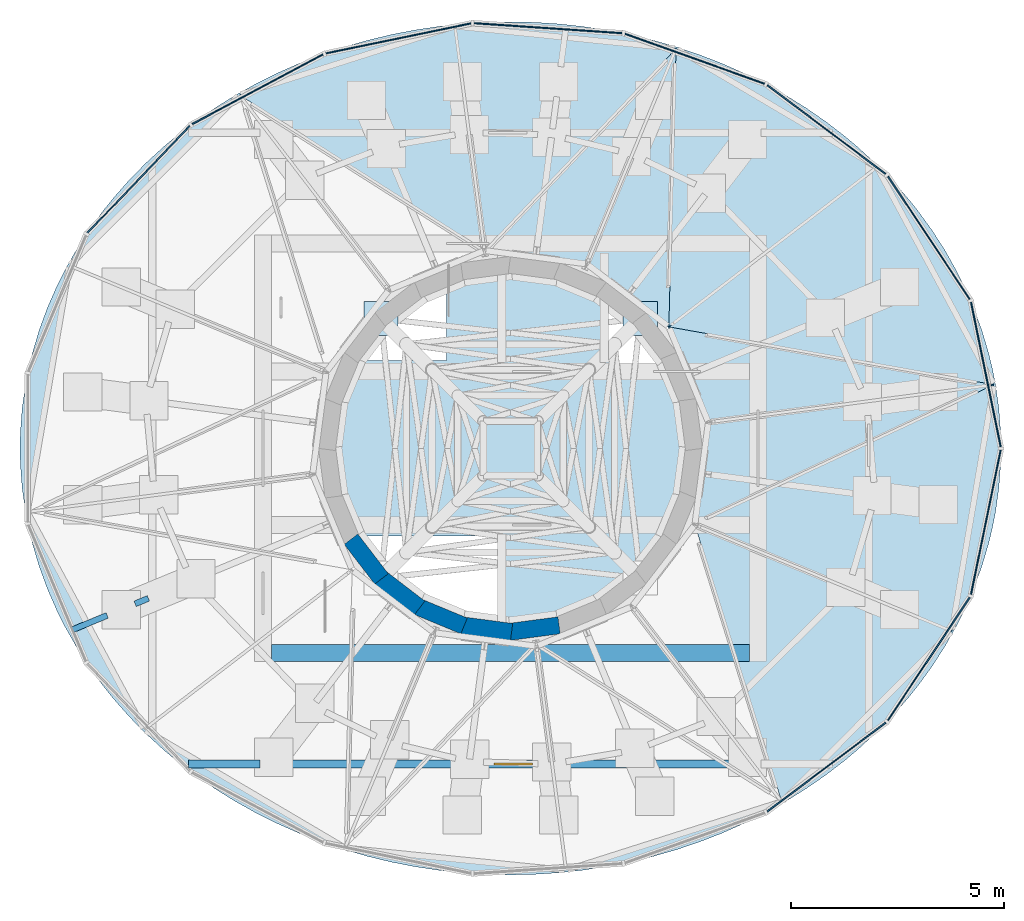
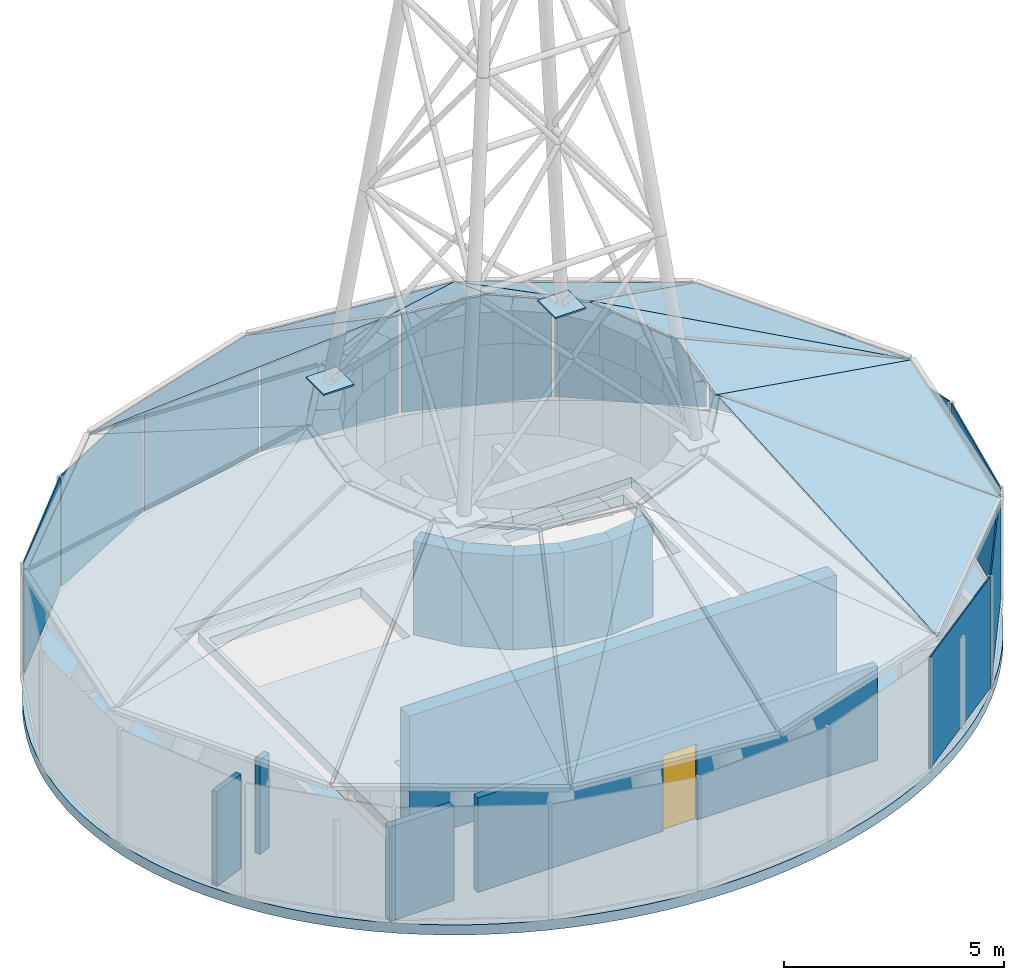
# One storey, part 6 of 10: 23 plates, 10 walls, 2 slabs, 1 door, 1 opening, 13 elements without a shape of their own.
"""IFC4 building model written with IfcOpenShell, lengths in metres."""

from ifc_helpers import new_model, si_unit, direction, frame, frame_2d, origin, origin_2d, place, context, subcontext, project, spatial, line, indexed_curve, rectangle, outline, extrude, source, transform, mapped, material, layer, layer_set, type_object, element, fill, aggregate, save


model = new_model("IFC4")

# Units and contexts
model_context = context("Model", 3, precision=1e-05, world=origin(), true_north=direction((0.0, 1.0)))
body_context = subcontext(model_context, "Body", "Model", "MODEL_VIEW")
ifc_project = project(units=[si_unit("LENGTHUNIT", "METRE"), si_unit("AREAUNIT", "SQUARE_METRE"), si_unit("VOLUMEUNIT", "CUBIC_METRE"), si_unit("PLANEANGLEUNIT", "RADIAN"), si_unit("MASSUNIT", "GRAM", prefix="KILO")], contexts=[model_context])

# Site, building, storey
site_placement = place(None, origin())
site = spatial("IfcSite", under=ifc_project, at=site_placement, CompositionType="ELEMENT")
building_placement = place(site_placement, origin())
building = spatial("IfcBuilding", under=site, at=building_placement, Name="Spindrift Exchange Tower", CompositionType="ELEMENT")
storey_placement = place(building_placement, frame((0.0, 0.0, 287.10009765625)))
storey = spatial("IfcBuildingStorey", under=building, at=storey_placement, Name="L71", CompositionType="ELEMENT", Elevation=287.10009765625)

# Curtain wall, plate
ifc_material_1 = material(Name="Fritted laminated glass with bronze frame", Category="glass")
ifc_layer_1 = layer(ifc_material_1, 0.139892578125)
ifc_layer_set_1 = layer_set([ifc_layer_1], Name="CROWN BRONZE HOOD GLAZED ROOF")
curtain_wall_type = type_object("IfcCurtainWallType", Name="CROWN BRONZE HOOD GLAZED ROOF", PredefinedType="NOTDEFINED", material=ifc_layer_set_1)
curtain_wall_1_placement = place(storey_placement, origin())
curtain_wall_1 = element("IfcCurtainWall", 1, at=curtain_wall_1_placement, inside=storey, type_object=curtain_wall_type, Name="L71 Crown Bronze Hood Glazed Roof facet 21", PredefinedType="NOTDEFINED")
ifc_material_2 = material(Name="Bronze fritted laminated glass, close frit", Category="glass")
ifc_layer_2 = layer(ifc_material_2, 0.031982421875)
ifc_layer_set_2 = layer_set([ifc_layer_2], Name="CROWN BRONZE HOOD GLAZED ROOF PANEL CLOSE FRIT 300")
plate_type_1 = type_object("IfcPlateType", Name="CROWN BRONZE HOOD GLAZED ROOF PANEL CLOSE FRIT 300", PredefinedType="CURTAIN_PANEL", material=ifc_layer_set_2)
plate_1_placement = place(storey_placement, frame((58.3583984375, 39.713623046875, 3.527587890625), z_axis=(0.35362755456, -0.352354503994, 0.866483615639), x_axis=(0.705830554927, 0.708380708187, 0.0)))
plate_1 = element("IfcPlate", 2, at=plate_1_placement, type_object=plate_type_1, Name="L71 panel CW-H.11a", PredefinedType="CURTAIN_PANEL", context=body_context, shape_type="SweptSolid", body=[
    extrude(outline(indexed_curve([(0.0, 0.0), (5.6484375, 0.0), (3.1640625, 6.9560546875)], segments=[line(1, 2, 3, 1)], self_intersect=False)), origin(), (0.0, 0.0, -1.0), 0.031982421875),
])
aggregate(curtain_wall_1, [plate_1])

curtain_wall_2_placement = place(storey_placement, origin())
curtain_wall_2 = element("IfcCurtainWall", 3, at=curtain_wall_2_placement, inside=storey, type_object=curtain_wall_type, Name="L71 Crown Bronze Hood Glazed Roof facet 23", PredefinedType="NOTDEFINED")
plate_2_placement = place(storey_placement, frame((63.330810546875, 49.49169921875, 3.52783203125), z_axis=(0.472556199926, -0.080623336113, 0.877604988355), x_axis=(-0.168180945866, -0.985756140964, 0.0)))
plate_2 = element("IfcPlate", 4, at=plate_2_placement, type_object=plate_type_1, Name="L71 panel CW-H.12a", PredefinedType="CURTAIN_PANEL", context=body_context, shape_type="SweptSolid", body=[
    extrude(outline(indexed_curve([(0.0, 0.0), (5.8603515625, 0.0), (4.4140625, -7.2431640625)], segments=[line(1, 2, 3, 1)], self_intersect=False)), origin(), (0.0, 0.0, -1.0), 0.031982421875),
])
aggregate(curtain_wall_2, [plate_2])

curtain_wall_3_placement = place(storey_placement, origin())
curtain_wall_3 = element("IfcCurtainWall", 5, at=curtain_wall_3_placement, inside=storey, type_object=curtain_wall_type, Name="L71 Crown Bronze Hood Glazed Roof facet 24", PredefinedType="NOTDEFINED")
plate_3_placement = place(storey_placement, frame((63.330810546875, 49.49169921875, 3.528076171875), z_axis=(0.466004346147, -0.061360002873, 0.882652196179), x_axis=(-0.8262601591, -0.386965846128, 0.409330652914)))
plate_3 = element("IfcPlate", 6, at=plate_3_placement, type_object=plate_type_1, Name="L71 panel CW-H.12b", PredefinedType="CURTAIN_PANEL", context=body_context, shape_type="SweptSolid", body=[
    extrude(outline(indexed_curve([(0.0, 0.0), (8.482421875, 0.0), (7.2919921875, -2.109375)], segments=[line(1, 2, 3, 1)], self_intersect=False)), origin(), (0.0, 0.0, -1.0), 0.031982421875),
])
aggregate(curtain_wall_3, [plate_3])

curtain_wall_4_placement = place(storey_placement, origin())
curtain_wall_4 = element("IfcCurtainWall", 7, at=curtain_wall_4_placement, inside=storey, type_object=curtain_wall_type, Name="L71 Crown Bronze Hood Glazed Roof facet 3", PredefinedType="NOTDEFINED")
ifc_layer_3 = layer(ifc_material_2, 0.031982421875)
ifc_layer_set_3 = layer_set([ifc_layer_3], Name="CROWN BRONZE HOOD GLAZED ROOF PANEL CLOSE FRIT 420")
plate_type_2 = type_object("IfcPlateType", Name="CROWN BRONZE HOOD GLAZED ROOF PANEL CLOSE FRIT 420", PredefinedType="CURTAIN_PANEL", material=ifc_layer_set_3)
plate_4_placement = place(storey_placement, frame((55.881591796875, 57.37109375, 3.527099609375), z_axis=(0.264305562786, 0.447877536729, 0.854135985411), x_axis=(0.861220597917, -0.508231326979, 0.0)))
plate_4 = element("IfcPlate", 8, at=plate_4_placement, type_object=plate_type_2, Name="L71 panel CW-H.2a", PredefinedType="CURTAIN_PANEL", context=body_context, shape_type="SweptSolid", body=[
    extrude(outline(indexed_curve([(0.0, 0.0), (5.4677734375, 0.0), (3.1689453125, -6.677734375)], segments=[line(1, 2, 3, 1)], self_intersect=False)), origin(), (0.0, 0.0, -1.0), 0.031982421875),
])
aggregate(curtain_wall_4, [plate_4])

curtain_wall_5_placement = place(storey_placement, origin())
curtain_wall_5 = element("IfcCurtainWall", 9, at=curtain_wall_5_placement, inside=storey, type_object=curtain_wall_type, Name="L71 Crown Bronze Hood Glazed Roof facet 4", PredefinedType="NOTDEFINED")
plate_5_placement = place(storey_placement, frame((55.881591796875, 57.37109375, 3.526611328125), z_axis=(0.334647415871, 0.436111138087, 0.835355123458), x_axis=(-0.022954150339, -0.882430199643, 0.469883017079)))
plate_5 = element("IfcPlate", 10, at=plate_5_placement, type_object=plate_type_2, Name="L71 panel CW-H.2b", PredefinedType="CURTAIN_PANEL", context=body_context, shape_type="SweptSolid", body=[
    extrude(outline(indexed_curve([(0.0, 0.0), (7.3916015625, 0.0), (6.134765625, -2.0703125)], segments=[line(1, 2, 3, 1)], self_intersect=False)), origin(), (0.0, 0.0, -1.0), 0.031982421875),
])
aggregate(curtain_wall_5, [plate_5])

curtain_wall_6_placement = place(storey_placement, origin())
curtain_wall_6 = element("IfcCurtainWall", 11, at=curtain_wall_6_placement, inside=storey, type_object=curtain_wall_type, Name="L71 Crown Bronze Hood Glazed Roof facet 7", PredefinedType="NOTDEFINED")
plate_6_placement = place(storey_placement, frame((45.6416015625, 56.286376953125, 3.526611328125), z_axis=(-0.168033139477, 0.527936618462, 0.832494919459), x_axis=(0.952897976513, 0.303291025845, 0.0)))
plate_6 = element("IfcPlate", 12, at=plate_6_placement, type_object=plate_type_2, Name="L71 panel CW-H.4a", PredefinedType="CURTAIN_PANEL", context=body_context, shape_type="SweptSolid", body=[
    extrude(outline(indexed_curve([(0.0, 0.0), (5.3056640625, 0.0), (4.37109375, -6.26953125)], segments=[line(1, 2, 3, 1)], self_intersect=False)), origin(), (0.0, 0.0, -1.0), 0.031982421875),
])
aggregate(curtain_wall_6, [plate_6])

curtain_wall_7_placement = place(storey_placement, origin())
curtain_wall_7 = element("IfcCurtainWall", 13, at=curtain_wall_7_placement, inside=storey, type_object=curtain_wall_type, Name="L71 Crown Bronze Hood Glazed Roof facet 1", PredefinedType="NOTDEFINED")
ifc_layer_4 = layer(ifc_material_2, 0.031982421875)
ifc_layer_set_4 = layer_set([ifc_layer_4], Name="CROWN BRONZE HOOD GLAZED ROOF PANEL CLOSE FRIT 540")
plate_type_3 = type_object("IfcPlateType", Name="CROWN BRONZE HOOD GLAZED ROOF PANEL CLOSE FRIT 540", PredefinedType="CURTAIN_PANEL", material=ifc_layer_set_4)
plate_7_placement = place(storey_placement, frame((63.330810546875, 49.49169921875, 3.527587890625), z_axis=(0.43744031224, 0.235000364955, 0.867998157659), x_axis=(-0.473249668707, 0.88092834616, 0.0)))
plate_7 = element("IfcPlate", 14, at=plate_7_placement, type_object=plate_type_3, Name="L71 panel CW-H.1a", PredefinedType="CURTAIN_PANEL", context=body_context, shape_type="SweptSolid", body=[
    extrude(outline(indexed_curve([(0.0, 0.0), (5.7900390625, 0.0), (4.80078125, 6.9931640625)], segments=[line(1, 2, 3, 1)], self_intersect=False)), origin(), (0.0, 0.0, -1.0), 0.031982421875),
])
aggregate(curtain_wall_7, [plate_7])

curtain_wall_8_placement = place(storey_placement, origin())
curtain_wall_8 = element("IfcCurtainWall", 15, at=curtain_wall_8_placement, inside=storey, type_object=curtain_wall_type, Name="L71 Crown Bronze Hood Glazed Roof facet 2", PredefinedType="NOTDEFINED")
plate_8_placement = place(storey_placement, frame((63.330810546875, 49.49169921875, 3.528076171875), z_axis=(0.434246702203, 0.179858208572, 0.882655553676), x_axis=(-0.898258789822, 0.159923281195, 0.409335669884)))
plate_8 = element("IfcPlate", 16, at=plate_8_placement, type_object=plate_type_3, Name="L71 panel CW-H.1b", PredefinedType="CURTAIN_PANEL", context=body_context, shape_type="SweptSolid", body=[
    extrude(outline(indexed_curve([(0.0, 0.0), (8.4814453125, 0.0), (7.2919921875, 2.109375)], segments=[line(1, 2, 3, 1)], self_intersect=False)), origin(), (0.0, 0.0, -1.0), 0.031982421875),
])
aggregate(curtain_wall_8, [plate_8])

curtain_wall_9_placement = place(storey_placement, origin())
curtain_wall_9 = element("IfcCurtainWall", 17, at=curtain_wall_9_placement, inside=storey, type_object=curtain_wall_type, Name="L71 Crown Bronze Hood Glazed Roof facet 5", PredefinedType="NOTDEFINED")
plate_9_placement = place(storey_placement, frame((55.881591796875, 57.37109375, 3.5263671875), z_axis=(0.056197623453, 0.555566356624, 0.829570883352), x_axis=(-0.994922887883, 0.100640186634, 0.0)))
plate_9 = element("IfcPlate", 18, at=plate_9_placement, type_object=plate_type_3, Name="L71 panel CW-H.3a", PredefinedType="CURTAIN_PANEL", context=body_context, shape_type="SweptSolid", body=[
    extrude(outline(indexed_curve([(0.0, 0.0), (5.2109375, 0.0), (3.9931640625, 6.220703125)], segments=[line(1, 2, 3, 1)], self_intersect=False)), origin(), (0.0, 0.0, -1.0), 0.031982421875),
])
aggregate(curtain_wall_9, [plate_9])

curtain_wall_10_placement = place(storey_placement, origin())
curtain_wall_10 = element("IfcCurtainWall", 19, at=curtain_wall_10_placement, inside=storey, type_object=curtain_wall_type, Name="L71 Crown Bronze Hood Glazed Roof facet 6", PredefinedType="NOTDEFINED")
plate_10_placement = place(storey_placement, frame((55.881591796875, 57.37109375, 3.526611328125), z_axis=(0.071761418154, 0.544998878414, 0.835360114796), x_axis=(-0.607718633659, -0.640218369285, 0.469892010928)))
plate_10 = element("IfcPlate", 20, at=plate_10_placement, type_object=plate_type_3, Name="L71 panel CW-H.3b", PredefinedType="CURTAIN_PANEL", context=body_context, shape_type="SweptSolid", body=[
    extrude(outline(indexed_curve([(0.0, 0.0), (7.3916015625, 0.0), (6.134765625, 2.0703125)], segments=[line(1, 2, 3, 1)], self_intersect=False)), origin(), (0.0, 0.0, -1.0), 0.031982421875),
])
aggregate(curtain_wall_10, [plate_10])

# Slabs
ifc_material_3 = material(Name="Concrete 40 MPa", Category="concrete")
ifc_layer_5 = layer(ifc_material_3, 0.280029296875)
ifc_layer_set_5 = layer_set([ifc_layer_5], Name="RC Floor Slab 280 Concrete 40 MPa")
slab_type_1 = type_object("IfcSlabType", Name="RC Floor Slab 280 Concrete 40 MPa", PredefinedType="FLOOR", material=ifc_layer_set_5)
slab_1_placement = place(storey_placement, frame((0.0, 0.0, -0.280029296875)))
element("IfcSlab", 21, at=slab_1_placement, inside=storey, type_object=slab_type_1, Name="Floor slab L71", PredefinedType="FLOOR", context=body_context, shape_type="SweptSolid", body=[
    extrude(outline(indexed_curve([(63.5, 48.0), (63.491943359375, 48.37548828125), (63.449462890625, 48.9375), (63.37060546875, 49.495361328125), (63.29833984375, 49.864013671875), (63.210693359375, 50.229248046875), (63.05029296875, 50.769287109375), (62.8564453125, 51.298583984375), (62.63037109375, 51.814697265625), (62.46240234375, 52.15087890625), (62.18603515625, 52.641845703125), (61.88134765625, 53.11572265625), (61.5498046875, 53.5712890625), (61.314697265625, 53.864501953125), (60.9423828125, 54.28759765625), (60.5478515625, 54.689697265625), (60.132568359375, 55.0703125), (59.8447265625, 55.31201171875), (59.3984375, 55.65576171875), (58.935302734375, 55.976806640625), (58.45703125, 56.27490234375), (57.965087890625, 56.549560546875), (57.460693359375, 56.80078125), (56.945068359375, 57.0283203125), (56.419677734375, 57.23193359375), (55.885498046875, 57.411865234375), (55.343994140625, 57.56787109375), (54.79638671875, 57.699951171875), (54.243408203125, 57.807861328125), (53.68603515625, 57.891845703125), (53.125732421875, 57.951904296875), (52.5634765625, 57.988037109375), (52.0, 58.0), (51.4365234375, 57.988037109375), (50.874267578125, 57.951904296875), (50.31396484375, 57.891845703125), (49.756591796875, 57.807861328125), (49.20361328125, 57.699951171875), (48.656005859375, 57.56787109375), (48.114501953125, 57.411865234375), (47.580322265625, 57.23193359375), (47.054931640625, 57.0283203125), (46.539306640625, 56.80078125), (46.034912109375, 56.549560546875), (45.54296875, 56.27490234375), (45.064697265625, 55.976806640625), (44.6015625, 55.65576171875), (44.1552734375, 55.31201171875), (43.867431640625, 55.0703125), (43.4521484375, 54.689697265625), (43.0576171875, 54.28759765625), (42.685302734375, 53.864501953125), (42.4501953125, 53.5712890625), (42.11865234375, 53.11572265625), (41.81396484375, 52.641845703125), (41.53759765625, 52.15087890625), (41.36962890625, 51.814697265625), (41.1435546875, 51.298583984375), (40.94970703125, 50.769287109375), (40.789306640625, 50.229248046875), (40.70166015625, 49.864013671875), (40.62939453125, 49.495361328125), (40.550537109375, 48.9375), (40.508056640625, 48.37548828125), (40.5, 48.0), (40.508056640625, 47.62451171875), (40.550537109375, 47.0625), (40.62939453125, 46.504638671875), (40.70166015625, 46.135986328125), (40.789306640625, 45.770751953125), (40.94970703125, 45.230712890625), (41.1435546875, 44.701416015625), (41.36962890625, 44.185302734375), (41.53759765625, 43.84912109375), (41.81396484375, 43.358154296875), (42.11865234375, 42.88427734375), (42.4501953125, 42.4287109375), (42.685302734375, 42.135498046875), (43.0576171875, 41.71240234375), (43.4521484375, 41.310302734375), (43.867431640625, 40.9296875), (44.1552734375, 40.68798828125), (44.6015625, 40.34423828125), (45.064697265625, 40.023193359375), (45.54296875, 39.72509765625), (46.034912109375, 39.450439453125), (46.539306640625, 39.19921875), (47.054931640625, 38.9716796875), (47.580322265625, 38.76806640625), (48.114501953125, 38.588134765625), (48.656005859375, 38.43212890625), (49.20361328125, 38.300048828125), (49.756591796875, 38.192138671875), (50.31396484375, 38.108154296875), (50.874267578125, 38.048095703125), (51.4365234375, 38.011962890625), (52.0, 38.0), (52.5634765625, 38.011962890625), (53.125732421875, 38.048095703125), (53.68603515625, 38.108154296875), (54.243408203125, 38.192138671875), (54.79638671875, 38.300048828125), (55.343994140625, 38.43212890625), (55.885498046875, 38.588134765625), (56.419677734375, 38.76806640625), (56.945068359375, 38.9716796875), (57.460693359375, 39.19921875), (57.965087890625, 39.450439453125), (58.45703125, 39.72509765625), (58.935302734375, 40.023193359375), (59.3984375, 40.34423828125), (59.8447265625, 40.68798828125), (60.132568359375, 40.9296875), (60.5478515625, 41.310302734375), (60.9423828125, 41.71240234375), (61.314697265625, 42.135498046875), (61.5498046875, 42.4287109375), (61.88134765625, 42.88427734375), (62.18603515625, 43.358154296875), (62.46240234375, 43.84912109375), (62.63037109375, 44.185302734375), (62.8564453125, 44.701416015625), (63.05029296875, 45.230712890625), (63.210693359375, 45.770751953125), (63.29833984375, 46.135986328125), (63.37060546875, 46.504638671875), (63.449462890625, 47.0625), (63.491943359375, 47.62451171875)], segments=[line(1, 2, 3, 4, 5, 6, 7, 8, 9, 10, 11, 12, 13, 14, 15, 16, 17, 18, 19, 20, 21, 22, 23, 24, 25, 26, 27, 28, 29, 30, 31, 32, 33, 34, 35, 36, 37, 38, 39, 40, 41, 42, 43, 44, 45, 46, 47, 48, 49, 50, 51, 52, 53, 54, 55, 56, 57, 58, 59, 60, 61, 62, 63, 64, 65, 66, 67, 68, 69, 70, 71, 72, 73, 74, 75, 76, 77, 78, 79, 80, 81, 82, 83, 84, 85, 86, 87, 88, 89, 90, 91, 92, 93, 94, 95, 96, 97, 98, 99, 100, 101, 102, 103, 104, 105, 106, 107, 108, 109, 110, 111, 112, 113, 114, 115, 116, 117, 118, 119, 120, 121, 122, 123, 124, 125, 126, 127, 128, 1)], self_intersect=False), holes=[indexed_curve([(46.0, 43.0), (58.0, 43.0), (58.0, 53.0), (46.0, 53.0)], segments=[line(1, 2, 3, 4, 1)], self_intersect=False)]), origin(), (0.0, 0.0, 1.0), 0.280029296875),
])
ifc_material_4 = material(Name="Concrete 50 MPa", Category="concrete")
ifc_layer_6 = layer(ifc_material_4, 0.280029296875)
ifc_layer_set_6 = layer_set([ifc_layer_6], Name="SL-CORE-FLOOR-280")
slab_type_2 = type_object("IfcSlabType", Name="SL-CORE-FLOOR-280", PredefinedType="FLOOR", material=ifc_layer_set_6)
slab_2_placement = place(storey_placement, frame((0.0, 0.0, -0.280029296875)))
element("IfcSlab", 22, at=slab_2_placement, inside=storey, type_object=slab_type_2, Name="L71 Core floor slab", PredefinedType="FLOOR", context=body_context, shape_type="SweptSolid", body=[
    extrude(outline(indexed_curve([(46.39990234375, 43.39990234375), (46.39990234375, 52.60009765625), (57.60009765625, 52.60009765625), (57.60009765625, 43.39990234375)], segments=[line(1, 2, 3, 4, 1)], self_intersect=False), holes=[indexed_curve([(47.7060546875, 43.7060546875), (51.694091796875, 43.7060546875), (51.694091796875, 45.944091796875), (47.7060546875, 45.944091796875)], segments=[line(1, 2, 3, 4, 1)], self_intersect=False), indexed_curve([(50.493896484375, 50.055908203125), (50.493896484375, 52.2939453125), (46.506103515625, 52.2939453125), (46.506103515625, 50.055908203125)], segments=[line(1, 2, 3, 4, 1)], self_intersect=False), indexed_curve([(54.300048828125, 49.89990234375), (57.5, 49.89990234375), (57.5, 52.5), (54.300048828125, 52.5)], segments=[line(1, 2, 3, 4, 1)], self_intersect=False)]), origin(), (0.0, 0.0, 1.0), 0.280029296875),
])

# Plates
ifc_material_5 = material(Name="Steel Grade 350", Category="steel")
ifc_layer_7 = layer(ifc_material_5, 0.0400390625)
ifc_layer_set_7 = layer_set([ifc_layer_7], Name="Mast Base Plate 40 Steel Grade 350")
plate_type_4 = type_object("IfcPlateType", Name="Mast Base Plate 40 Steel Grade 350", PredefinedType="SHEET", material=ifc_layer_set_7)
shared_shape_1 = source(origin(), body_context, "Body", "SweptSolid", [
    extrude(rectangle(XDim=0.800048828125, YDim=0.800048828125, at=origin_2d()), origin(), (0.0, 0.0, 1.0), 0.0400390625),
])
for number, where, z_axis, x_axis, name in (
    (23, (55.04052734375, 51.04052734375, 7.0), (0.0, 0.0, 1.0), (1.0, 0.0, 0.0), "Mast base plate 1"),
    (24, (48.95947265625, 51.04052734375, 7.0), (0.0, 0.0, 1.0), (1.0, 0.0, 0.0), "Mast base plate 2"),
):
    element("IfcPlate", number, at=place(storey_placement, frame(where, z_axis=z_axis, x_axis=x_axis)), inside=storey, type_object=plate_type_4, Name=name, PredefinedType="SHEET", context=body_context, shape_type="MappedRepresentation", body=[
        mapped(shared_shape_1, transform((0.0, 0.0, 0.0), scale=1.0)),
    ])

# Curtain wall, plates
curtain_wall_11_placement = place(storey_placement, origin())
curtain_wall_11 = element("IfcCurtainWall", 25, at=curtain_wall_11_placement, inside=storey, type_object=curtain_wall_type, Name="L71 Crown Bronze Hood Glazed Roof run 1", PredefinedType="NOTDEFINED")
shared_shape_2 = source(origin(), body_context, "Body", "SweptSolid", [
    extrude(rectangle(XDim=3.46533203125, YDim=0.031982421875, at=origin_2d()), origin(), (0.0, 0.0, 1.0), 3.090087890625),
])
plate_11_placement = place(storey_placement, frame((63.144287109375, 49.7314453125, 0.10986328125), z_axis=(0.0, 0.0, 1.0), x_axis=(-0.201281368887, 0.979533465758, 0.0)))
plate_11 = element("IfcPlate", 26, at=plate_11_placement, type_object=plate_type_2, Name="L71 panel CW-H.1", PredefinedType="CURTAIN_PANEL", context=body_context, shape_type="MappedRepresentation", body=[
    mapped(shared_shape_2, transform((0.0, 0.0, 0.0), scale=1.0)),
])
shared_shape_3 = source(origin(), body_context, "Body", "SweptSolid", [
    extrude(rectangle(XDim=3.4697265625, YDim=0.031982421875, at=origin_2d()), origin(), (0.0, 0.0, 1.0), 3.090087890625),
])
plate_12_placement = place(storey_placement, frame((61.8076171875, 52.936279296875, 0.10986328125), z_axis=(0.0, 0.0, 1.0), x_axis=(-0.554093500162, 0.832454439041, 0.0)))
plate_12 = element("IfcPlate", 27, at=plate_12_placement, type_object=plate_type_3, Name="L71 panel CW-H.2", PredefinedType="CURTAIN_PANEL", context=body_context, shape_type="MappedRepresentation", body=[
    mapped(shared_shape_3, transform((0.0, 0.0, 0.0), scale=1.0)),
])
shared_shape_4 = source(origin(), body_context, "Body", "SweptSolid", [
    extrude(rectangle(XDim=3.474365234375, YDim=0.031982421875, at=origin_2d()), origin(), (0.0, 0.0, 1.0), 3.090087890625),
])
plate_13_placement = place(storey_placement, frame((59.4091796875, 55.47265625, 0.10986328125), z_axis=(0.0, 0.0, 1.0), x_axis=(-0.800112011541, 0.599850622229, 0.0)))
plate_13 = element("IfcPlate", 28, at=plate_13_placement, type_object=plate_type_2, Name="L71 panel CW-H.3", PredefinedType="CURTAIN_PANEL", context=body_context, shape_type="MappedRepresentation", body=[
    mapped(shared_shape_4, transform((0.0, 0.0, 0.0), scale=1.0)),
])
shared_shape_5 = source(origin(), body_context, "Body", "SweptSolid", [
    extrude(rectangle(XDim=3.477294921875, YDim=0.031982421875, at=origin_2d()), origin(), (0.0, 0.0, 1.0), 3.090087890625),
])
plate_14_placement = place(storey_placement, frame((56.3212890625, 57.13330078125, 0.10986328125), z_axis=(0.0, 0.0, 1.0), x_axis=(-0.94155935179, 0.336847127131, 0.0)))
plate_14 = element("IfcPlate", 29, at=plate_14_placement, type_object=plate_type_1, Name="L71 panel CW-H.4", PredefinedType="CURTAIN_PANEL", context=body_context, shape_type="MappedRepresentation", body=[
    mapped(shared_shape_5, transform((0.0, 0.0, 0.0), scale=1.0)),
])
shared_shape_6 = source(origin(), body_context, "Body", "SweptSolid", [
    extrude(rectangle(XDim=3.478515625, YDim=0.031982421875, at=origin_2d()), origin(), (0.0, 0.0, 1.0), 3.090087890625),
])
plate_15_placement = place(storey_placement, frame((52.881103515625, 57.850341796875, 0.10986328125), z_axis=(0.0, 0.0, 1.0), x_axis=(-0.997719754796, 0.067492895099, 0.0)))
plate_15 = element("IfcPlate", 30, at=plate_15_placement, type_object=plate_type_1, Name="L71 panel CW-H.5", PredefinedType="CURTAIN_PANEL", context=body_context, shape_type="MappedRepresentation", body=[
    mapped(shared_shape_6, transform((0.0, 0.0, 0.0), scale=1.0)),
])
shared_shape_7 = source(origin(), body_context, "Body", "SweptSolid", [
    extrude(rectangle(XDim=3.47802734375, YDim=0.031982421875, at=origin_2d()), origin(), (0.0, 0.0, 1.0), 3.090087890625),
])
plate_16_placement = place(storey_placement, frame((49.37353515625, 57.611083984375, 0.10986328125), z_axis=(0.0, 0.0, 1.0), x_axis=(-0.97930978729, -0.202366846389, 0.0)))
plate_16 = element("IfcPlate", 31, at=plate_16_placement, type_object=plate_type_1, Name="L71 panel CW-H.6", PredefinedType="CURTAIN_PANEL", context=body_context, shape_type="MappedRepresentation", body=[
    mapped(shared_shape_7, transform((0.0, 0.0, 0.0), scale=1.0)),
])
aggregate(curtain_wall_11, [plate_11, plate_12, plate_13, plate_14, plate_15, plate_16])

curtain_wall_12_placement = place(storey_placement, origin())
curtain_wall_12 = element("IfcCurtainWall", 32, at=curtain_wall_12_placement, inside=storey, type_object=curtain_wall_type, Name="L71 Crown Bronze Hood Glazed Roof run 2", PredefinedType="NOTDEFINED")
shared_shape_8 = source(origin(), body_context, "Body", "SweptSolid", [
    extrude(rectangle(XDim=3.47607421875, YDim=0.031982421875, at=origin_2d()), origin(), (0.0, 0.0, 1.0), 3.090087890625),
])
plate_17_placement = place(storey_placement, frame((46.0712890625, 56.418701171875, 0.10986328125), z_axis=(0.0, 0.0, 1.0), x_axis=(-0.882649159485, -0.470032404479, 0.0)))
plate_17 = element("IfcPlate", 33, at=plate_17_placement, type_object=plate_type_2, Name="L71 panel CW-H.7", PredefinedType="CURTAIN_PANEL", context=body_context, shape_type="MappedRepresentation", body=[
    mapped(shared_shape_8, transform((0.0, 0.0, 0.0), scale=1.0)),
])
shared_shape_9 = source(origin(), body_context, "Body", "SweptSolid", [
    extrude(rectangle(XDim=3.47216796875, YDim=0.031982421875, at=origin_2d()), origin(), (0.0, 0.0, 1.0), 3.090087890625),
])
plate_18_placement = place(storey_placement, frame((43.281982421875, 54.305419921875, 0.10986328125), z_axis=(0.0, 0.0, 1.0), x_axis=(-0.691221763346, -0.722642701393, 0.0)))
plate_18 = element("IfcPlate", 34, at=plate_18_placement, type_object=plate_type_2, Name="L71 panel CW-H.8", PredefinedType="CURTAIN_PANEL", context=body_context, shape_type="MappedRepresentation", body=[
    mapped(shared_shape_9, transform((0.0, 0.0, 0.0), scale=1.0)),
])
aggregate(curtain_wall_12, [plate_17, plate_18])

curtain_wall_13_placement = place(storey_placement, origin())
curtain_wall_13 = element("IfcCurtainWall", 35, at=curtain_wall_13_placement, inside=storey, type_object=curtain_wall_type, Name="L71 Crown Bronze Hood Glazed Roof run 3", PredefinedType="NOTDEFINED")
shared_shape_10 = source(origin(), body_context, "Body", "SweptSolid", [
    extrude(rectangle(XDim=3.474365234375, YDim=0.031982421875, at=origin_2d()), origin(), (0.0, 0.0, 1.0), 3.090087890625),
])
plate_19_placement = place(storey_placement, frame((59.4091796875, 40.52734375, 0.10986328125), z_axis=(0.0, 0.0, 1.0), x_axis=(0.800112011541, 0.599850622229, 0.0)))
plate_19 = element("IfcPlate", 36, at=plate_19_placement, type_object=plate_type_1, Name="L71 panel CW-H.17", PredefinedType="CURTAIN_PANEL", context=body_context, shape_type="MappedRepresentation", body=[
    mapped(shared_shape_10, transform((0.0, 0.0, 0.0), scale=1.0)),
])
shared_shape_11 = source(origin(), body_context, "Body", "SweptSolid", [
    extrude(rectangle(XDim=3.4697265625, YDim=0.031982421875, at=origin_2d()), origin(), (0.0, 0.0, 1.0), 3.090087890625),
])
plate_20_placement = place(storey_placement, frame((61.8076171875, 43.063720703125, 0.10986328125), z_axis=(0.0, 0.0, 1.0), x_axis=(0.554093500162, 0.832454439041, 0.0)))
plate_20 = element("IfcPlate", 37, at=plate_20_placement, type_object=plate_type_1, Name="L71 panel CW-H.18", PredefinedType="CURTAIN_PANEL", context=body_context, shape_type="MappedRepresentation", body=[
    mapped(shared_shape_11, transform((0.0, 0.0, 0.0), scale=1.0)),
])
shared_shape_12 = source(origin(), body_context, "Body", "SweptSolid", [
    extrude(rectangle(XDim=3.46533203125, YDim=0.031982421875, at=origin_2d()), origin(), (0.0, 0.0, 1.0), 3.090087890625),
])
plate_21_placement = place(storey_placement, frame((63.144287109375, 46.2685546875, 0.10986328125), z_axis=(0.0, 0.0, 1.0), x_axis=(0.201281368887, 0.979533465758, 0.0)))
plate_21 = element("IfcPlate", 38, at=plate_21_placement, type_object=plate_type_1, Name="L71 panel CW-H.19", PredefinedType="CURTAIN_PANEL", context=body_context, shape_type="MappedRepresentation", body=[
    mapped(shared_shape_12, transform((0.0, 0.0, 0.0), scale=1.0)),
])
aggregate(curtain_wall_13, [plate_19, plate_20, plate_21])

# Walls
ifc_layer_8 = layer(ifc_material_3, 0.39990234375)
ifc_layer_set_8 = layer_set([ifc_layer_8], Name="RC Core Wall 400 Concrete 40 MPa")
wall_type_1 = type_object("IfcWallType", Name="RC Core Wall 400 Concrete 40 MPa", PredefinedType="SHEAR", material=ifc_layer_set_8)
wall_1_placement = place(storey_placement, frame((46.39990234375, 43.199951171875, 0.0), z_axis=(0.0, 0.0, 1.0), x_axis=(1.0, 0.0, 0.0)))
element("IfcWall", 39, at=wall_1_placement, inside=storey, type_object=wall_type_1, Name="Core wall S L71", PredefinedType="SHEAR", context=body_context, shape_type="SweptSolid", body=[
    extrude(rectangle(XDim=11.2001953125, YDim=0.39990234375, at=frame_2d((5.60009765625, 0.0))), origin(), (0.0, 0.0, 1.0), 3.5),
])
ifc_layer_9 = layer(ifc_material_3, 0.39990234375)
ifc_layer_set_9 = layer_set([ifc_layer_9], Name="RC Drum Wall 400 Concrete 40 MPa")
wall_type_2 = type_object("IfcWallType", Name="RC Drum Wall 400 Concrete 40 MPa", PredefinedType="SOLIDWALL", material=ifc_layer_set_9)
for number, where, z_axis, x_axis, name in (
    (40, (48.260009765625, 45.870849609375, 3.5), (0.0, 0.0, 1.0), (0.608937365608, -0.793218308391, 0.0), "Plant drum wall 15"),
    (41, (48.938720703125, 44.9755859375, 3.5), (0.0, 0.0, 1.0), (0.793218308391, -0.608937365608, 0.0), "Plant drum wall 16"),
    (42, (49.82568359375, 44.2861328125, 3.5), (0.0, 0.0, 1.0), (0.923880098963, -0.382682064828, 0.0), "Plant drum wall 17"),
    (43, (50.861083984375, 43.85009765625, 3.5), (0.0, 0.0, 1.0), (0.991424569828, -0.130680229342, 0.0), "Plant drum wall 18"),
    (44, (51.973876953125, 43.696533203125, 3.5), (0.0, 0.0, 1.0), (0.991424569828, 0.130680229342, 0.0), "Plant drum wall 19"),
):
    element("IfcWall", number, at=place(storey_placement, frame(where, z_axis=z_axis, x_axis=x_axis)), inside=storey, type_object=wall_type_2, Name=name, PredefinedType="SOLIDWALL", context=body_context, shape_type="SweptSolid", body=[
        extrude(rectangle(XDim=1.175048828125, YDim=0.39990234375, at=frame_2d((0.58740234375, 0.0))), origin(), (0.0, 0.0, 1.0), 2.599853515625),
    ])
ifc_material_6 = material(Name="Fire-rated plasterboard partition", Category="gypsum")
ifc_layer_10 = layer(ifc_material_6, 0.139892578125)
ifc_layer_set_10 = layer_set([ifc_layer_10], Name="W-PART-140")
wall_type_3 = type_object("IfcWallType", Name="W-PART-140", PredefinedType="PARTITIONING", material=ifc_layer_set_10)
wall_2_placement = place(storey_placement, frame((42.543212890625, 44.0830078125, 0.0), z_axis=(0.0, 0.0, 1.0), x_axis=(-0.923813043949, -0.38284391053, 0.0)))
element("IfcWall", 45, at=wall_2_placement, inside=storey, type_object=wall_type_3, Name="L71 Partition wall 12", PredefinedType="PARTITIONING", context=body_context, shape_type="SweptSolid", body=[
    extrude(rectangle(XDim=0.890869140625, YDim=0.139892578125, at=frame_2d((0.4453125, 0.0))), origin(), (0.0, 0.0, 1.0), 2.619873046875),
])
wall_3_placement = place(storey_placement, frame((43.510009765625, 44.4833984375, 0.0), z_axis=(0.0, 0.0, 1.0), x_axis=(-0.923698276413, -0.383120730516, 0.0)))
element("IfcWall", 46, at=wall_3_placement, inside=storey, type_object=wall_type_3, Name="L71 Partition wall 15", PredefinedType="PARTITIONING", context=body_context, shape_type="SweptSolid", body=[
    extrude(rectangle(XDim=0.33642578125, YDim=0.139892578125, at=frame_2d((0.168212890625, 0.0))), origin(), (0.0, 0.0, 1.0), 2.619873046875),
])

# Wall, opening, door
ifc_layer_11 = layer(ifc_material_6, 0.179931640625)
ifc_layer_set_11 = layer_set([ifc_layer_11], Name="W-PLANT-180")
wall_type_4 = type_object("IfcWallType", Name="W-PLANT-180", PredefinedType="PARTITIONING", material=ifc_layer_set_11)
wall_4_placement = place(storey_placement, frame((57.23876953125, 40.60009765625, 0.0), z_axis=(0.0, 0.0, 1.0), x_axis=(-1.0, 0.0, 0.0)))
wall_4 = element("IfcWall", 47, at=wall_4_placement, inside=storey, type_object=wall_type_4, Name="L71 Partition wall 6", PredefinedType="PARTITIONING", context=body_context, shape_type="SweptSolid", body=[
    extrude(rectangle(XDim=10.4775390625, YDim=0.179931640625, at=frame_2d((5.23876953125, 0.0))), origin(), (0.0, 0.0, 1.0), 2.619873046875),
])
opening_placement = place(wall_4_placement, frame((4.7275390625, 0.0, 0.0)))
opening = element("IfcOpeningElement", 48, at=opening_placement, cuts=wall_4, Name="Opening L71-D6", PredefinedType="OPENING", context=body_context, shape_type="SweptSolid", body=[
    extrude(rectangle(XDim=0.89990234375, YDim=2.10009765625, at=frame_2d((0.449951171875, 1.050048828125))), frame((0.0, 0.099853515625, 0.0), z_axis=(0.0, -1.0, 0.0), x_axis=(1.0, 0.0, 0.0)), (0.0, 0.0, 1.0), 0.199951171875),
])
ifc_material_7 = material(Name="Timber-core fire door", Category="wood")
door_type = type_object("IfcDoorType", Name="DR-ROOM-900", OperationType="NOTDEFINED", PredefinedType="DOOR", material=ifc_material_7)
shared_shape_13 = source(origin(), body_context, "Body", "SweptSolid", [
    extrude(rectangle(XDim=0.89990234375, YDim=2.10009765625, at=frame_2d((0.449951171875, 1.050048828125))), frame((0.0, 0.02490234375, 0.0), z_axis=(0.0, -1.0, 0.0), x_axis=(1.0, 0.0, 0.0)), (0.0, 0.0, 1.0), 0.050048828125),
])
door_placement = place(opening_placement, origin())
door = element("IfcDoor", 49, at=door_placement, inside=storey, type_object=door_type, Name="L71 Door 6", OperationType="SINGLE_SWING_RIGHT", OverallHeight=2.10009765625, OverallWidth=0.89990234375, PredefinedType="DOOR", context=body_context, shape_type="MappedRepresentation", body=[
    mapped(shared_shape_13, transform((0.0, 0.0, 0.0), scale=1.0)),
])
fill(opening, door)

# Wall
wall_5_placement = place(storey_placement, frame((44.4462890625, 40.60009765625, 0.0), z_axis=(0.0, 0.0, 1.0), x_axis=(1.0, 0.0, 0.0)))
element("IfcWall", 50, at=wall_5_placement, inside=storey, type_object=wall_type_4, Name="L71 Partition wall 8", PredefinedType="PARTITIONING", context=body_context, shape_type="SweptSolid", body=[
    extrude(rectangle(XDim=1.682373046875, YDim=0.179931640625, at=frame_2d((0.84130859375, 0.0))), origin(), (0.0, 0.0, 1.0), 2.619873046875),
])

save(model, "model.ifc")
